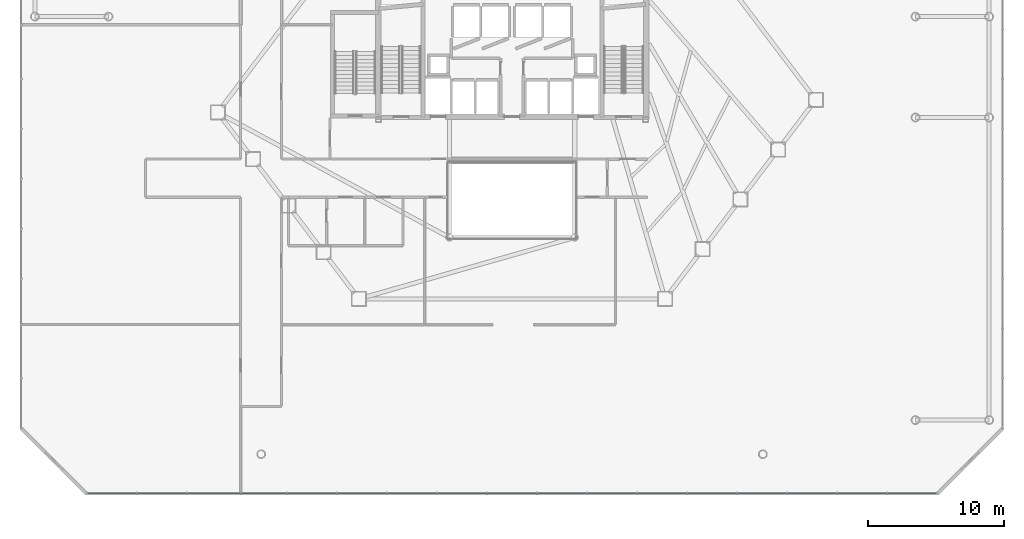
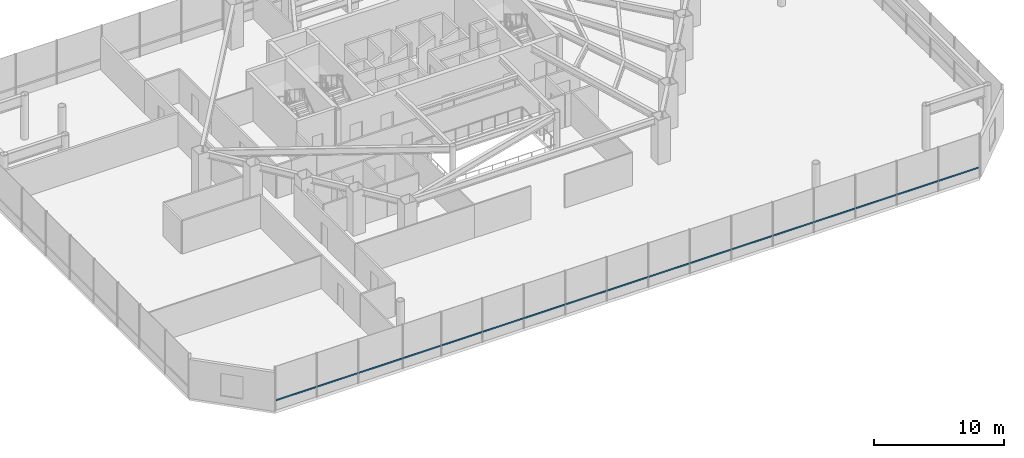
# One storey, part 12 of 37: 1 member, 1 element without a shape of its own.
"""IFC4 building model written with IfcOpenShell, lengths in metres."""

from ifc_helpers import new_model, si_unit, direction, frame, origin, origin_2d, place, context, subcontext, project, spatial, hollow_rectangle, extrude, material, layer, layer_set, material_profile, profile_set, type_object, element, aggregate, save


model = new_model("IFC4")

# Units and contexts
model_context = context("Model", 3, precision=1e-05, world=origin(), true_north=direction((0.0, 1.0)))
body_context = subcontext(model_context, "Body", "Model", "MODEL_VIEW")
ifc_project = project(units=[si_unit("LENGTHUNIT", "METRE"), si_unit("AREAUNIT", "SQUARE_METRE"), si_unit("VOLUMEUNIT", "CUBIC_METRE"), si_unit("PLANEANGLEUNIT", "RADIAN"), si_unit("MASSUNIT", "GRAM", prefix="KILO")], contexts=[model_context])

# Site, building, storey
site_placement = place(None, origin())
site = spatial("IfcSite", under=ifc_project, at=site_placement, CompositionType="ELEMENT")
building_placement = place(site_placement, origin())
building = spatial("IfcBuilding", under=site, at=building_placement, Name="Zarrinselat Tower", CompositionType="ELEMENT")
storey_placement = place(building_placement, frame((0.0, 0.0, 9.52001953125)))
storey = spatial("IfcBuildingStorey", under=building, at=storey_placement, Name="L02", CompositionType="ELEMENT", Elevation=9.52001953125)

# Curtain wall, member
ifc_material_1 = material(Name="Extruded Aluminium Alloy EN AW-6063 T6", Category="aluminium")
ifc_layer = layer(ifc_material_1, 0.2099609375)
ifc_layer_set = layer_set([ifc_layer], Name="Extruded Aluminium Alloy EN AW-6063 T6")
curtain_wall_type = type_object("IfcCurtainWallType", Name="CWS-POD", PredefinedType="NOTDEFINED", material=ifc_layer_set)
curtain_wall_placement = place(storey_placement, origin())
curtain_wall = element("IfcCurtainWall", 1, at=curtain_wall_placement, inside=storey, type_object=curtain_wall_type, Name="L02 Unitised Curtain Wall CW-L02-F1", PredefinedType="NOTDEFINED")
ifc_material_2 = material(Name="Extruded Aluminium Alloy EN AW-6063 T6", Category="aluminium")
ifc_material_profile = material_profile(ifc_material_2, hollow_rectangle(XDim=0.06005859375, YDim=0.139892578125, WallThickness=0.00390625, at=origin_2d()), Name="RHS 140x60x4")
ifc_profile_set = profile_set([ifc_material_profile], Name="Extruded Aluminium Alloy EN AW-6063 T6")
member_type = type_object("IfcMemberType", Name="MEM-CW-TRN", PredefinedType="USERDEFINED", material=ifc_profile_set)
member_placement = place(storey_placement, frame((7.2900390625, 5.60009765625, 0.949951171875), z_axis=(1.0, 0.0, 0.0), x_axis=(0.0, 1.0, 0.0)))
member = element("IfcMember", 2, at=member_placement, type_object=member_type, Name="CW-L02-F1 Transom 1", ObjectType="TRANSOM", PredefinedType="USERDEFINED", context=body_context, shape_type="SweptSolid", body=[
    extrude(hollow_rectangle(XDim=0.06005859375, YDim=0.139892578125, WallThickness=0.00390625, at=origin_2d()), origin(), (0.0, 0.0, 1.0), 62.219970703125),
])
aggregate(curtain_wall, [member])

save(model, "model.ifc")
